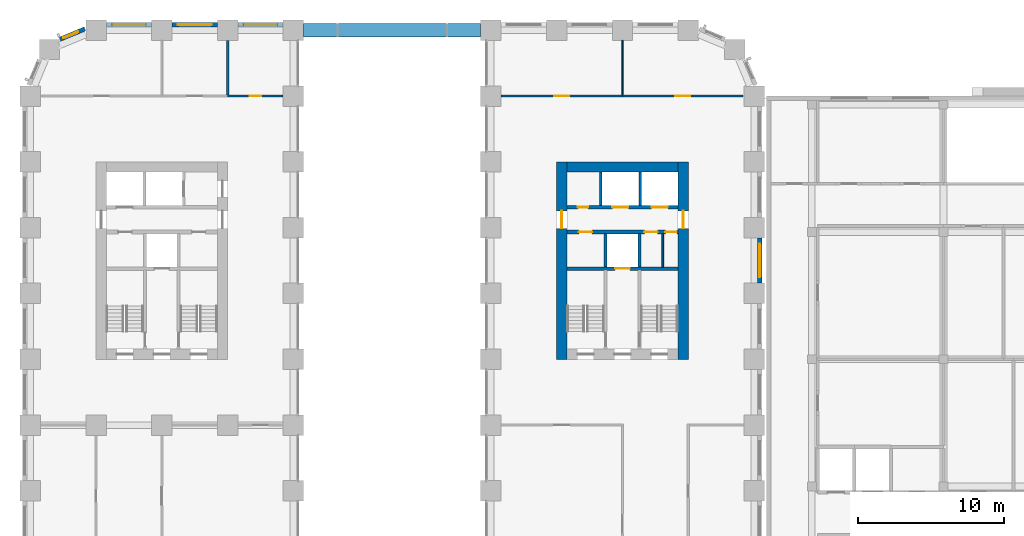
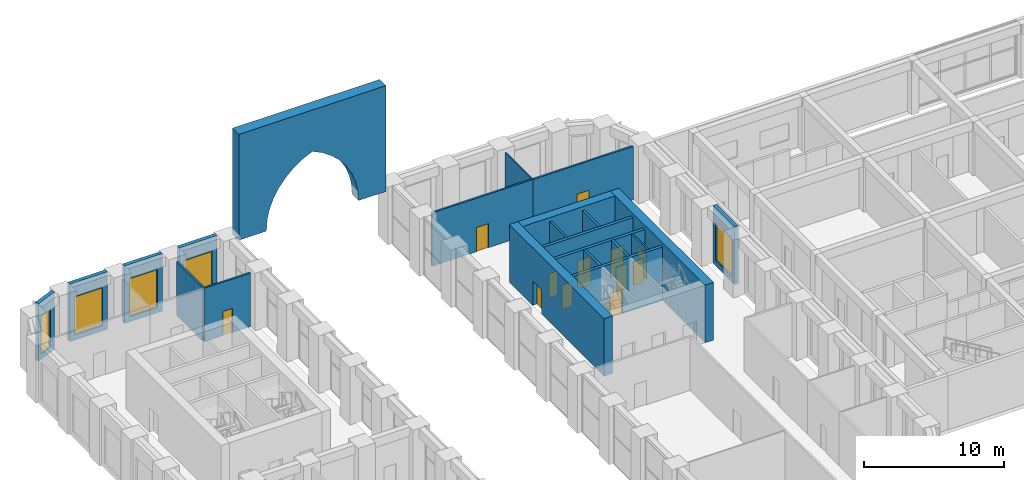
# One storey, part 14 of 25: 22 walls, 12 doors, 5 windows, 17 openings.
"""IFC4 building model written with IfcOpenShell, lengths in metres."""

import ifcopenshell
import ifcopenshell.guid

model = None  # the IFC model being written
_history = None  # IfcOwnerHistory: only IFC2X3 demands one
_inside = {}  # id of a spatial element -> (the spatial element, [elements in it])
_under = {}  # id of a project, library or spatial element -> (it, [spatial elements below it])
_declared = {}  # id of a project -> (the project, [libraries it declares])
_typed = {}  # id of a type object -> (the type object, [elements of that type])
_made_of = {}  # id of a material, layer set ... -> (it, [elements and type objects made of it])


def new_model(schema):
    """Start an empty IFC model of exactly this schema.

    Asked for "IFC4X3", IfcOpenShell would pick the latest addendum, in which some entities
    have other attributes; the version numbers below select the first issue.
    IFC2X3 requires an IfcOwnerHistory on every rooted entity: one is made here for all.
    """
    global model, _history
    if schema == "IFC4X3":
        model = ifcopenshell.file(schema_version=(4, 3, 0, 0))
    else:
        model = ifcopenshell.file(schema=schema)
    _inside.clear()
    _under.clear()
    _declared.clear()
    _typed.clear()
    _made_of.clear()
    _history = None
    if model.schema == "IFC2X3":
        org = make("IfcOrganization", Name="unknown")
        user = make(
            "IfcPersonAndOrganization",
            ThePerson=make("IfcPerson", FamilyName="unknown"),
            TheOrganization=org,
        )
        app = make(
            "IfcApplication",
            ApplicationDeveloper=org,
            Version="unknown",
            ApplicationFullName="unknown",
            ApplicationIdentifier="unknown",
        )
        _history = make(
            "IfcOwnerHistory",
            OwningUser=user,
            OwningApplication=app,
            ChangeAction="ADDED",
            CreationDate=0,
        )
    return model


def make(cls, **values):
    """One entity of the class cls with the attributes given. An attribute that is None is left unset."""
    return model.create_entity(
        cls, **{name: value for name, value in values.items() if value is not None}
    )


def rooted(cls, **values):
    """An entity with a GlobalId (a new one), such as an element, a storey or a relation."""
    return make(cls, GlobalId=ifcopenshell.guid.new(), OwnerHistory=_history, **values)


def si_unit(unit_type, name, prefix=None):
    """IfcSIUnit, for example si_unit("LENGTHUNIT", "METRE", prefix="MILLI")."""
    return make("IfcSIUnit", UnitType=unit_type, Prefix=prefix, Name=name)


def assignment(units):
    """IfcUnitAssignment: the units of a project."""
    return None if units is None else make("IfcUnitAssignment", Units=units)


def point(xyz):
    """IfcCartesianPoint."""
    return None if xyz is None else make("IfcCartesianPoint", Coordinates=xyz)


def direction(xyz):
    """IfcDirection."""
    return None if xyz is None else make("IfcDirection", DirectionRatios=xyz)


def frame(location, z_axis=None, x_axis=None):
    """IfcAxis2Placement3D, a coordinate frame: its origin and axes. An axis left out is left unset."""
    return make(
        "IfcAxis2Placement3D",
        Location=point(location),
        Axis=direction(z_axis),
        RefDirection=direction(x_axis),
    )


def frame_2d(location, x_axis=None):
    """IfcAxis2Placement2D, a coordinate frame in the plane: its origin and x axis."""
    return make(
        "IfcAxis2Placement2D", Location=point(location), RefDirection=direction(x_axis)
    )


def origin():
    """The frame at (0, 0, 0) with its axes left unset."""
    return frame((0.0, 0.0, 0.0))


def place(relative_to, where):
    """IfcLocalPlacement: puts the frame where relative to a parent placement (None: the world)."""
    return make(
        "IfcLocalPlacement", PlacementRelTo=relative_to, RelativePlacement=where
    )


def context(
    kind, dimensions, precision=None, world=None, true_north=None, identifier=None
):
    """IfcGeometricRepresentationContext, for example the 3D "Model" context."""
    return make(
        "IfcGeometricRepresentationContext",
        ContextIdentifier=identifier,
        ContextType=kind,
        CoordinateSpaceDimension=dimensions,
        Precision=precision,
        WorldCoordinateSystem=world,
        TrueNorth=true_north,
    )


def subcontext(parent, identifier, kind, view, scale=None):
    """IfcGeometricRepresentationSubContext, for example "Body" below "Model"."""
    return make(
        "IfcGeometricRepresentationSubContext",
        ContextIdentifier=identifier,
        ContextType=kind,
        ParentContext=parent,
        TargetScale=scale,
        TargetView=view,
    )


def project(units=None, contexts=None):
    """IfcProject with its units and contexts."""
    return rooted(
        "IfcProject",
        Name="project",
        RepresentationContexts=contexts,
        UnitsInContext=assignment(units),
    )


def spatial(cls, under=None, at=None, **own):
    """A site, building, storey or space (cls), placed at a placement, below another one or the project."""
    s = rooted(cls, ObjectPlacement=at, **own)
    if under is not None:
        _under.setdefault(under.id(), (under, []))[1].append(s)
    return s


def polyline(points):
    """IfcPolyline through the points."""
    return make("IfcPolyline", Points=[point(p) for p in points])


def profile(cls, at=None, kind="AREA", **sizes):
    """A parametric profile (cls). Its sizes go by their IFC names, for example OverallWidth=200.0."""
    return make(cls, ProfileType=kind, Position=at, **sizes)


def rectangle(**sizes):
    """IfcRectangleProfileDef."""
    return profile("IfcRectangleProfileDef", **sizes)


def outline(outer, holes=None, kind="AREA"):
    """IfcArbitraryClosedProfileDef: a profile drawn as a closed curve; with holes, ...WithVoids."""
    if holes is None:
        return make("IfcArbitraryClosedProfileDef", ProfileType=kind, OuterCurve=outer)
    return make(
        "IfcArbitraryProfileDefWithVoids",
        ProfileType=kind,
        OuterCurve=outer,
        InnerCurves=holes,
    )


def extrude(swept, where, along, depth):
    """IfcExtrudedAreaSolid: the profile swept, set in the frame where, extruded along a direction by depth."""
    return make(
        "IfcExtrudedAreaSolid",
        SweptArea=swept,
        Position=where,
        ExtrudedDirection=direction(along),
        Depth=depth,
    )


def shape(context_of_items, identifier, shape_type, items):
    """IfcShapeRepresentation: the items that make up one representation, for example the "Body"."""
    return make(
        "IfcShapeRepresentation",
        ContextOfItems=context_of_items,
        RepresentationIdentifier=identifier,
        RepresentationType=shape_type,
        Items=items,
    )


def material(Name=None, Category=None):
    """IfcMaterial."""
    return make("IfcMaterial", Name=Name, Category=Category)


def layer(
    of_material, thickness, ventilated=None, Name=None, Category=None, Priority=None
):
    """IfcMaterialLayer: one layer of a wall or slab, of a material (None: an air gap)."""
    return make(
        "IfcMaterialLayer",
        Material=of_material,
        LayerThickness=thickness,
        IsVentilated=ventilated,
        Name=Name,
        Category=Category,
        Priority=Priority,
    )


def layer_set(layers, Name=None):
    """IfcMaterialLayerSet."""
    return make("IfcMaterialLayerSet", MaterialLayers=layers, LayerSetName=Name)


def made_of(thing, what):
    """Note that an element or type object is made of a material, layer set ...; save() writes the relation."""
    if what is not None:
        _made_of.setdefault(what.id(), (what, []))[1].append(thing)
    return thing


def type_object(cls, material=None, **own):
    """A type object (cls), such as IfcWallType, which elements share."""
    return made_of(rooted(cls, **own), material)


def element(
    cls,
    number,
    at=None,
    inside=None,
    cuts=None,
    type_object=None,
    material=None,
    context=None,
    identifier="Body",
    shape_type=None,
    held_by="IfcProductDefinitionShape",
    body=None,
    shapes=None,
    **own,
):
    """One element of the class cls, such as IfcWall. Its Tag is "e" and its number.

    at: its placement. inside: the storey or other place that contains it. cuts: it is an
    opening in that element (IfcRelVoidsElement). A single representation is given by context,
    identifier, shape_type and body (its items); several are given by shapes. held_by: the class
    of the entity that holds the representations. save() writes the other relations.
    """
    e = rooted(cls, Tag="e%d" % number, ObjectPlacement=at, **own)
    if body is not None:
        shapes = [shape(context, identifier, shape_type, body)]
    if shapes is not None:
        e.Representation = make(held_by, Representations=shapes)
    if inside is not None:
        _inside.setdefault(inside.id(), (inside, []))[1].append(e)
    if cuts is not None:
        rooted(
            "IfcRelVoidsElement", RelatingBuildingElement=cuts, RelatedOpeningElement=e
        )
    if type_object is not None:
        _typed.setdefault(type_object.id(), (type_object, []))[1].append(e)
    return made_of(e, material)


def fill(opening, filler):
    """IfcRelFillsElement: the door or window that sits in an opening."""
    return rooted(
        "IfcRelFillsElement",
        RelatingOpeningElement=opening,
        RelatedBuildingElement=filler,
    )


def aggregate(whole, parts):
    """IfcRelAggregates: a whole, such as a stair, and the parts it consists of."""
    return rooted("IfcRelAggregates", RelatingObject=whole, RelatedObjects=parts)


def save(model, path):
    """Write the relations noted so far, then the file.

    IfcRelAggregates (storeys below a building ...), IfcRelContainedInSpatialStructure (elements
    in a storey), IfcRelDefinesByType, IfcRelAssociatesMaterial and IfcRelDeclares: one each for
    every whole, place, type object, material and project.
    """
    for whole, parts in _under.values():
        aggregate(whole, parts)
    for where, things in _inside.values():
        rooted(
            "IfcRelContainedInSpatialStructure",
            RelatedElements=things,
            RelatingStructure=where,
        )
    for kind, things in _typed.values():
        rooted("IfcRelDefinesByType", RelatedObjects=things, RelatingType=kind)
    for what, things in _made_of.values():
        rooted("IfcRelAssociatesMaterial", RelatedObjects=things, RelatingMaterial=what)
    for by, libraries in _declared.values():
        rooted("IfcRelDeclares", RelatingContext=by, RelatedDefinitions=libraries)
    model.write(path)


model = new_model("IFC4")

# Units and contexts
model_context = context("Model", 3, precision=1e-05, world=origin(), true_north=direction((0.0, 1.0)))
body_context = subcontext(model_context, "Body", "Model", "MODEL_VIEW")
ifc_project = project(units=[si_unit("LENGTHUNIT", "METRE"), si_unit("AREAUNIT", "SQUARE_METRE"), si_unit("VOLUMEUNIT", "CUBIC_METRE"), si_unit("PLANEANGLEUNIT", "RADIAN"), si_unit("MASSUNIT", "GRAM", prefix="KILO")], contexts=[model_context])

# Site, building, storey
site_placement = place(None, origin())
site = spatial("IfcSite", under=ifc_project, at=site_placement, CompositionType="ELEMENT")
building_placement = place(site_placement, origin())
building = spatial("IfcBuilding", under=site, at=building_placement, Name="Girih Gate Residences", CompositionType="ELEMENT")
storey_placement = place(building_placement, frame((0.0, 0.0, 6.0)))
storey = spatial("IfcBuildingStorey", under=building, at=storey_placement, Name="L01", CompositionType="ELEMENT", Elevation=6.0)

# Wall, opening, door
ifc_material_1 = material(Name="Gypsum board on steel studs", Category="steel")
ifc_layer_1 = layer(ifc_material_1, 0.14990234375)
ifc_layer_set_1 = layer_set([ifc_layer_1], Name="Compartment wall 150 mm")
wall_type_1 = type_object("IfcWallType", Name="Compartment wall 150 mm", PredefinedType="PARTITIONING", material=ifc_layer_set_1)
wall_1_placement = place(storey_placement, frame((40.5, 45.0, 0.0), z_axis=(0.0, 0.0, 1.0), x_axis=(1.0, 0.0, 0.0)))
wall_1 = element("IfcWall", 1, at=wall_1_placement, inside=storey, type_object=wall_type_1, Name="L01 partition", PredefinedType="PARTITIONING", context=body_context, shape_type="SweptSolid", body=[
    extrude(rectangle(XDim=8.242431640625, YDim=0.14990234375, at=frame_2d((4.12109375, 0.0))), origin(), (0.0, 0.0, 1.0), 4.64990234375),
])
opening_1_placement = place(wall_1_placement, frame((3.62109375, 0.0, 0.0)))
opening_1 = element("IfcOpeningElement", 2, at=opening_1_placement, cuts=wall_1, Name="Opening D-L01-S-002", PredefinedType="OPENING", context=body_context, shape_type="SweptSolid", body=[
    extrude(rectangle(XDim=1.0, YDim=2.10009765625, at=frame_2d((0.5, 1.050048828125))), frame((0.0, 0.0849609375, 0.0), z_axis=(0.0, -1.0, 0.0), x_axis=(1.0, 0.0, 0.0)), (0.0, 0.0, 1.0), 0.169921875),
])
ifc_material_2 = material(Name="Timber, fire-rated core", Category="wood")
door_type_1 = type_object("IfcDoorType", Name="Amenity door 1000x2100 FD30S", OperationType="SINGLE_SWING_LEFT", PredefinedType="DOOR", material=ifc_material_2)
door_1_placement = place(opening_1_placement, origin())
door_1 = element("IfcDoor", 3, at=door_1_placement, inside=storey, type_object=door_type_1, Name="Door L01-002", OperationType="SINGLE_SWING_RIGHT", OverallHeight=2.10009765625, OverallWidth=1.0, PredefinedType="DOOR", context=body_context, shape_type="SweptSolid", body=[
    extrude(rectangle(XDim=1.0, YDim=2.10009765625, at=frame_2d((0.5, 1.050048828125))), frame((0.0, 0.02490234375, 0.0), z_axis=(0.0, -1.0, 0.0), x_axis=(1.0, 0.0, 0.0)), (0.0, 0.0, 1.0), 0.050048828125),
])
fill(opening_1, door_1)

wall_2_placement = place(storey_placement, frame((32.199951171875, 45.0, 0.0), z_axis=(0.0, 0.0, 1.0), x_axis=(1.0, 0.0, 0.0)))
wall_2 = element("IfcWall", 4, at=wall_2_placement, inside=storey, type_object=wall_type_1, Name="L01 partition", PredefinedType="PARTITIONING", context=body_context, shape_type="SweptSolid", body=[
    extrude(rectangle(XDim=8.300048828125, YDim=0.14990234375, at=frame_2d((4.14990234375, 0.0))), origin(), (0.0, 0.0, 1.0), 4.64990234375),
])
opening_2_placement = place(wall_2_placement, frame((3.64990234375, 0.0, 0.0)))
opening_2 = element("IfcOpeningElement", 5, at=opening_2_placement, cuts=wall_2, Name="Opening D-L01-S-003", PredefinedType="OPENING", context=body_context, shape_type="SweptSolid", body=[
    extrude(rectangle(XDim=1.0, YDim=2.10009765625, at=frame_2d((0.5, 1.050048828125))), frame((0.0, 0.0849609375, 0.0), z_axis=(0.0, -1.0, 0.0), x_axis=(1.0, 0.0, 0.0)), (0.0, 0.0, 1.0), 0.169921875),
])
door_2_placement = place(opening_2_placement, origin())
door_2 = element("IfcDoor", 6, at=door_2_placement, inside=storey, type_object=door_type_1, Name="Door L01-003", OperationType="SINGLE_SWING_RIGHT", OverallHeight=2.10009765625, OverallWidth=1.0, PredefinedType="DOOR", context=body_context, shape_type="SweptSolid", body=[
    extrude(rectangle(XDim=1.0, YDim=2.10009765625, at=frame_2d((0.5, 1.050048828125))), frame((0.0, 0.02490234375, 0.0), z_axis=(0.0, -1.0, 0.0), x_axis=(1.0, 0.0, 0.0)), (0.0, 0.0, 1.0), 0.050048828125),
])
fill(opening_2, door_2)

# Wall
wall_3_placement = place(storey_placement, frame((13.5, 45.074951171875, 0.0), z_axis=(0.0, 0.0, 1.0), x_axis=(0.0, 1.0, 0.0)))
element("IfcWall", 7, at=wall_3_placement, inside=storey, type_object=wall_type_1, Name="L01 partition", PredefinedType="PARTITIONING", context=body_context, shape_type="SweptSolid", body=[
    extrude(rectangle(XDim=3.72509765625, YDim=0.14990234375, at=frame_2d((1.862548828125, 0.0))), origin(), (0.0, 0.0, 1.0), 4.64990234375),
])

# Wall, opening, door
wall_4_placement = place(storey_placement, frame((13.5, 45.0, 0.0), z_axis=(0.0, 0.0, 1.0), x_axis=(1.0, 0.0, 0.0)))
wall_4 = element("IfcWall", 8, at=wall_4_placement, inside=storey, type_object=wall_type_1, Name="L01 partition", PredefinedType="PARTITIONING", context=body_context, shape_type="SweptSolid", body=[
    extrude(rectangle(XDim=3.800048828125, YDim=0.14990234375, at=frame_2d((1.89990234375, 0.0))), origin(), (0.0, 0.0, 1.0), 4.64990234375),
])
opening_3_placement = place(wall_4_placement, frame((1.5, 0.0, 0.0)))
opening_3 = element("IfcOpeningElement", 9, at=opening_3_placement, cuts=wall_4, Name="Opening D-L01-S-012", PredefinedType="OPENING", context=body_context, shape_type="SweptSolid", body=[
    extrude(rectangle(XDim=0.800048828125, YDim=2.10009765625, at=frame_2d((0.39990234375, 1.050048828125))), frame((0.0, 0.0849609375, 0.0), z_axis=(0.0, -1.0, 0.0), x_axis=(1.0, 0.0, 0.0)), (0.0, 0.0, 1.0), 0.169921875),
])
ifc_material_3 = material(Name="Timber", Category="wood")
door_type_2 = type_object("IfcDoorType", Name="WC and store door 800x2100", OperationType="SINGLE_SWING_LEFT", PredefinedType="DOOR", material=ifc_material_3)
door_3_placement = place(opening_3_placement, origin())
door_3 = element("IfcDoor", 10, at=door_3_placement, inside=storey, type_object=door_type_2, Name="Door L01-012", OperationType="SINGLE_SWING_RIGHT", OverallHeight=2.10009765625, OverallWidth=0.800048828125, PredefinedType="DOOR", context=body_context, shape_type="SweptSolid", body=[
    extrude(rectangle(XDim=0.800048828125, YDim=2.10009765625, at=frame_2d((0.39990234375, 1.050048828125))), frame((0.0, 0.02490234375, 0.0), z_axis=(0.0, -1.0, 0.0), x_axis=(1.0, 0.0, 0.0)), (0.0, 0.0, 1.0), 0.050048828125),
])
fill(opening_3, door_3)

# Wall
ifc_material_4 = material(Name="Concrete C60/75", Category="concrete")
ifc_layer_2 = layer(ifc_material_4, 0.699951171875)
ifc_layer_set_2 = layer_set([ifc_layer_2], Name="Core wall RC 700 Concrete C60/75")
wall_type_2 = type_object("IfcWallType", Name="Core wall RC 700 Concrete C60/75", PredefinedType="SOLIDWALL", material=ifc_layer_set_2)
wall_5_placement = place(storey_placement, frame((36.699951171875, 40.14990234375, 0.0), z_axis=(0.0, 0.0, 1.0), x_axis=(1.0, 0.0, 0.0)))
element("IfcWall", 11, at=wall_5_placement, inside=storey, type_object=wall_type_2, Name="Core wall E-N L01", PredefinedType="SOLIDWALL", context=body_context, shape_type="SweptSolid", body=[
    extrude(rectangle(XDim=7.60009765625, YDim=0.699951171875, at=frame_2d((3.800048828125, 0.0))), origin(), (0.0, 0.0, 1.0), 5.0),
])

# Wall, opening, door
wall_6_placement = place(storey_placement, frame((36.35009765625, 27.0, 0.0), z_axis=(0.0, 0.0, 1.0), x_axis=(0.0, 1.0, 0.0)))
wall_6 = element("IfcWall", 12, at=wall_6_placement, inside=storey, type_object=wall_type_2, Name="Core wall E-W L01", PredefinedType="SOLIDWALL", context=body_context, shape_type="SweptSolid", body=[
    extrude(rectangle(XDim=13.5, YDim=0.699951171875, at=frame_2d((6.75, 0.0))), origin(), (0.0, 0.0, 1.0), 5.0),
])
opening_4_placement = place(wall_6_placement, frame((8.949951171875, 0.0, 0.0)))
opening_4 = element("IfcOpeningElement", 13, at=opening_4_placement, cuts=wall_6, Name="Opening D-L01-E-013", PredefinedType="OPENING", context=body_context, shape_type="SweptSolid", body=[
    extrude(rectangle(XDim=1.199951171875, YDim=2.10009765625, at=frame_2d((0.60009765625, 1.050048828125))), frame((0.0, 0.35986328125, 0.0), z_axis=(0.0, -1.0, 0.0), x_axis=(1.0, 0.0, 0.0)), (0.0, 0.0, 1.0), 0.719970703125),
])
ifc_material_5 = material(Name="Painted steel, fire-resisting", Category="steel")
door_type_3 = type_object("IfcDoorType", Name="Fire door 1200x2100", OperationType="SINGLE_SWING_LEFT", PredefinedType="DOOR", material=ifc_material_5)
door_4_placement = place(opening_4_placement, origin())
door_4 = element("IfcDoor", 14, at=door_4_placement, inside=storey, type_object=door_type_3, Name="L01 E core door ll-w", OperationType="SINGLE_SWING_LEFT", OverallHeight=2.10009765625, OverallWidth=1.199951171875, PredefinedType="DOOR", context=body_context, shape_type="SweptSolid", body=[
    extrude(rectangle(XDim=1.199951171875, YDim=2.10009765625, at=frame_2d((0.60009765625, 1.050048828125))), frame((0.0, 0.02490234375, 0.0), z_axis=(0.0, -1.0, 0.0), x_axis=(1.0, 0.0, 0.0)), (0.0, 0.0, 1.0), 0.050048828125),
])
fill(opening_4, door_4)

wall_7_placement = place(storey_placement, frame((44.64990234375, 27.0, 0.0), z_axis=(0.0, 0.0, 1.0), x_axis=(0.0, 1.0, 0.0)))
wall_7 = element("IfcWall", 15, at=wall_7_placement, inside=storey, type_object=wall_type_2, Name="Core wall E-E L01", PredefinedType="SOLIDWALL", context=body_context, shape_type="SweptSolid", body=[
    extrude(rectangle(XDim=13.5, YDim=0.699951171875, at=frame_2d((6.75, 0.0))), origin(), (0.0, 0.0, 1.0), 5.0),
])
opening_5_placement = place(wall_7_placement, frame((8.949951171875, 0.0, 0.0)))
opening_5 = element("IfcOpeningElement", 16, at=opening_5_placement, cuts=wall_7, Name="Opening D-L01-E-014", PredefinedType="OPENING", context=body_context, shape_type="SweptSolid", body=[
    extrude(rectangle(XDim=1.199951171875, YDim=2.10009765625, at=frame_2d((0.60009765625, 1.050048828125))), frame((0.0, 0.35986328125, 0.0), z_axis=(0.0, -1.0, 0.0), x_axis=(1.0, 0.0, 0.0)), (0.0, 0.0, 1.0), 0.719970703125),
])
door_5_placement = place(opening_5_placement, origin())
door_5 = element("IfcDoor", 17, at=door_5_placement, inside=storey, type_object=door_type_3, Name="L01 E core door ll-e", OperationType="SINGLE_SWING_LEFT", OverallHeight=2.10009765625, OverallWidth=1.199951171875, PredefinedType="DOOR", context=body_context, shape_type="SweptSolid", body=[
    extrude(rectangle(XDim=1.199951171875, YDim=2.10009765625, at=frame_2d((0.60009765625, 1.050048828125))), frame((0.0, 0.02490234375, 0.0), z_axis=(0.0, -1.0, 0.0), x_axis=(1.0, 0.0, 0.0)), (0.0, 0.0, 1.0), 0.050048828125),
])
fill(opening_5, door_5)

ifc_material_6 = material(Name="Concrete C40/50", Category="concrete")
ifc_layer_3 = layer(ifc_material_6, 0.25)
ifc_layer_set_3 = layer_set([ifc_layer_3], Name="Lift shaft wall 250")
wall_type_3 = type_object("IfcWallType", Name="Lift shaft wall 250", PredefinedType="SOLIDWALL", material=ifc_layer_set_3)
wall_8_placement = place(storey_placement, frame((36.699951171875, 33.199951171875, 0.0), z_axis=(0.0, 0.0, 1.0), x_axis=(1.0, 0.0, 0.0)))
wall_8 = element("IfcWall", 18, at=wall_8_placement, inside=storey, type_object=wall_type_3, Name="L01 E core wall H1", PredefinedType="SOLIDWALL", context=body_context, shape_type="SweptSolid", body=[
    extrude(rectangle(XDim=7.60009765625, YDim=0.25, at=frame_2d((3.800048828125, 0.0))), origin(), (0.0, 0.0, 1.0), 4.64990234375),
])
opening_6_placement = place(wall_8_placement, frame((3.300048828125, 0.0, 0.0)))
opening_6 = element("IfcOpeningElement", 19, at=opening_6_placement, cuts=wall_8, Name="Opening D-L01-E-005", PredefinedType="OPENING", context=body_context, shape_type="SweptSolid", body=[
    extrude(rectangle(XDim=1.0, YDim=2.10009765625, at=frame_2d((0.5, 1.050048828125))), frame((0.0, 0.135009765625, 0.0), z_axis=(0.0, -1.0, 0.0), x_axis=(1.0, 0.0, 0.0)), (0.0, 0.0, 1.0), 0.27001953125),
])
ifc_material_7 = material(Name="Stainless steel, fire-resisting", Category="steel")
door_type_4 = type_object("IfcDoorType", Name="Firefighting lift landing door 1000x2100", OperationType="SLIDING_TO_LEFT", PredefinedType="DOOR", material=ifc_material_7)
door_6_placement = place(opening_6_placement, origin())
door_6 = element("IfcDoor", 20, at=door_6_placement, inside=storey, type_object=door_type_4, Name="L01 lift FF-E landing door", OperationType="SLIDING_TO_LEFT", OverallHeight=2.10009765625, OverallWidth=1.0, PredefinedType="DOOR", context=body_context, shape_type="SweptSolid", body=[
    extrude(rectangle(XDim=1.0, YDim=2.10009765625, at=frame_2d((0.5, 1.050048828125))), frame((0.0, 0.02490234375, 0.0), z_axis=(0.0, -1.0, 0.0), x_axis=(1.0, 0.0, 0.0)), (0.0, 0.0, 1.0), 0.050048828125),
])
fill(opening_6, door_6)

# Wall, openings, doors
wall_9_placement = place(storey_placement, frame((36.699951171875, 35.699951171875, 0.0), z_axis=(0.0, 0.0, 1.0), x_axis=(1.0, 0.0, 0.0)))
wall_9 = element("IfcWall", 21, at=wall_9_placement, inside=storey, type_object=wall_type_3, Name="L01 E core wall H2", PredefinedType="SOLIDWALL", context=body_context, shape_type="SweptSolid", body=[
    extrude(rectangle(XDim=7.60009765625, YDim=0.25, at=frame_2d((3.800048828125, 0.0))), origin(), (0.0, 0.0, 1.0), 4.64990234375),
])
opening_7_placement = place(wall_9_placement, frame((6.72509765625, 0.0, 0.0)))
opening_7 = element("IfcOpeningElement", 22, at=opening_7_placement, cuts=wall_9, Name="Opening D-L01-E-007", PredefinedType="OPENING", context=body_context, shape_type="SweptSolid", body=[
    extrude(rectangle(XDim=0.800048828125, YDim=2.10009765625, at=frame_2d((0.39990234375, 1.050048828125))), frame((0.0, 0.135009765625, 0.0), z_axis=(0.0, -1.0, 0.0), x_axis=(1.0, 0.0, 0.0)), (0.0, 0.0, 1.0), 0.27001953125),
])
opening_8_placement = place(wall_9_placement, frame((5.300048828125, 0.0, 0.0)))
opening_8 = element("IfcOpeningElement", 23, at=opening_8_placement, cuts=wall_9, Name="Opening D-L01-E-008", PredefinedType="OPENING", context=body_context, shape_type="SweptSolid", body=[
    extrude(rectangle(XDim=0.89990234375, YDim=2.10009765625, at=frame_2d((0.449951171875, 1.050048828125))), frame((0.0, 0.135009765625, 0.0), z_axis=(0.0, -1.0, 0.0), x_axis=(1.0, 0.0, 0.0)), (0.0, 0.0, 1.0), 0.27001953125),
])
opening_9_placement = place(wall_9_placement, frame((0.824951171875, 0.0, 0.0)))
opening_9 = element("IfcOpeningElement", 24, at=opening_9_placement, cuts=wall_9, Name="Opening D-L01-E-009", PredefinedType="OPENING", context=body_context, shape_type="SweptSolid", body=[
    extrude(rectangle(XDim=0.89990234375, YDim=2.10009765625, at=frame_2d((0.449951171875, 1.050048828125))), frame((0.0, 0.135009765625, 0.0), z_axis=(0.0, -1.0, 0.0), x_axis=(1.0, 0.0, 0.0)), (0.0, 0.0, 1.0), 0.27001953125),
])
door_type_5 = type_object("IfcDoorType", Name="Fire door 800x2100", OperationType="SINGLE_SWING_LEFT", PredefinedType="DOOR", material=ifc_material_5)
door_7_placement = place(opening_7_placement, origin())
door_7 = element("IfcDoor", 25, at=door_7_placement, inside=storey, type_object=door_type_5, Name="L01 E refuse store door", OperationType="SINGLE_SWING_LEFT", OverallHeight=2.10009765625, OverallWidth=0.800048828125, PredefinedType="DOOR", context=body_context, shape_type="SweptSolid", body=[
    extrude(rectangle(XDim=0.800048828125, YDim=2.10009765625, at=frame_2d((0.39990234375, 1.050048828125))), frame((0.0, 0.02490234375, 0.0), z_axis=(0.0, -1.0, 0.0), x_axis=(1.0, 0.0, 0.0)), (0.0, 0.0, 1.0), 0.050048828125),
])
fill(opening_7, door_7)
door_type_6 = type_object("IfcDoorType", Name="Fire door 900x2100", OperationType="SINGLE_SWING_LEFT", PredefinedType="DOOR", material=ifc_material_5)
door_8_placement = place(opening_8_placement, origin())
door_8 = element("IfcDoor", 26, at=door_8_placement, inside=storey, type_object=door_type_6, Name="L01 E cleaners store door", OperationType="SINGLE_SWING_LEFT", OverallHeight=2.10009765625, OverallWidth=0.89990234375, PredefinedType="DOOR", context=body_context, shape_type="SweptSolid", body=[
    extrude(rectangle(XDim=0.89990234375, YDim=2.10009765625, at=frame_2d((0.449951171875, 1.050048828125))), frame((0.0, 0.02490234375, 0.0), z_axis=(0.0, -1.0, 0.0), x_axis=(1.0, 0.0, 0.0)), (0.0, 0.0, 1.0), 0.050048828125),
])
fill(opening_8, door_8)
door_9_placement = place(opening_9_placement, origin())
door_9 = element("IfcDoor", 27, at=door_9_placement, inside=storey, type_object=door_type_6, Name="L01 E maintenance store door", OperationType="SINGLE_SWING_LEFT", OverallHeight=2.10009765625, OverallWidth=0.89990234375, PredefinedType="DOOR", context=body_context, shape_type="SweptSolid", body=[
    extrude(rectangle(XDim=0.89990234375, YDim=2.10009765625, at=frame_2d((0.449951171875, 1.050048828125))), frame((0.0, 0.02490234375, 0.0), z_axis=(0.0, -1.0, 0.0), x_axis=(1.0, 0.0, 0.0)), (0.0, 0.0, 1.0), 0.050048828125),
])
fill(opening_9, door_9)

wall_10_placement = place(storey_placement, frame((36.699951171875, 37.39990234375, 0.0), z_axis=(0.0, 0.0, 1.0), x_axis=(1.0, 0.0, 0.0)))
wall_10 = element("IfcWall", 28, at=wall_10_placement, inside=storey, type_object=wall_type_3, Name="L01 E core wall H3", PredefinedType="SOLIDWALL", context=body_context, shape_type="SweptSolid", body=[
    extrude(rectangle(XDim=7.60009765625, YDim=0.25, at=frame_2d((3.800048828125, 0.0))), origin(), (0.0, 0.0, 1.0), 4.64990234375),
])
opening_10_placement = place(wall_10_placement, frame((5.800048828125, 0.0, 0.0)))
opening_10 = element("IfcOpeningElement", 29, at=opening_10_placement, cuts=wall_10, Name="Opening D-L01-E-003", PredefinedType="OPENING", context=body_context, shape_type="SweptSolid", body=[
    extrude(rectangle(XDim=1.10009765625, YDim=2.39990234375, at=frame_2d((0.550048828125, 1.199951171875))), frame((0.0, 0.135009765625, 0.0), z_axis=(0.0, -1.0, 0.0), x_axis=(1.0, 0.0, 0.0)), (0.0, 0.0, 1.0), 0.27001953125),
])
opening_11_placement = place(wall_10_placement, frame((3.10009765625, 0.0, 0.0)))
opening_11 = element("IfcOpeningElement", 30, at=opening_11_placement, cuts=wall_10, Name="Opening D-L01-E-004", PredefinedType="OPENING", context=body_context, shape_type="SweptSolid", body=[
    extrude(rectangle(XDim=1.10009765625, YDim=2.39990234375, at=frame_2d((0.550048828125, 1.199951171875))), frame((0.0, 0.135009765625, 0.0), z_axis=(0.0, -1.0, 0.0), x_axis=(1.0, 0.0, 0.0)), (0.0, 0.0, 1.0), 0.27001953125),
])
opening_12_placement = place(wall_10_placement, frame((0.75, 0.0, 0.0)))
opening_12 = element("IfcOpeningElement", 31, at=opening_12_placement, cuts=wall_10, Name="Opening D-L01-E-006", PredefinedType="OPENING", context=body_context, shape_type="SweptSolid", body=[
    extrude(rectangle(XDim=0.699951171875, YDim=2.10009765625, at=frame_2d((0.35009765625, 1.050048828125))), frame((0.0, 0.135009765625, 0.0), z_axis=(0.0, -1.0, 0.0), x_axis=(1.0, 0.0, 0.0)), (0.0, 0.0, 1.0), 0.27001953125),
])
ifc_material_8 = material(Name="Stainless steel", Category="steel")
door_type_7 = type_object("IfcDoorType", Name="Lift landing door 1100x2400", OperationType="SLIDING_TO_LEFT", PredefinedType="DOOR", material=ifc_material_8)
door_10_placement = place(opening_10_placement, origin())
door_10 = element("IfcDoor", 32, at=door_10_placement, inside=storey, type_object=door_type_7, Name="L01 lift LR-E1 landing door", OperationType="SLIDING_TO_LEFT", OverallHeight=2.39990234375, OverallWidth=1.10009765625, PredefinedType="DOOR", context=body_context, shape_type="SweptSolid", body=[
    extrude(rectangle(XDim=1.10009765625, YDim=2.39990234375, at=frame_2d((0.550048828125, 1.199951171875))), frame((0.0, 0.02490234375, 0.0), z_axis=(0.0, -1.0, 0.0), x_axis=(1.0, 0.0, 0.0)), (0.0, 0.0, 1.0), 0.050048828125),
])
fill(opening_10, door_10)
door_11_placement = place(opening_11_placement, origin())
door_11 = element("IfcDoor", 33, at=door_11_placement, inside=storey, type_object=door_type_7, Name="L01 lift LR-E2 landing door", OperationType="SLIDING_TO_LEFT", OverallHeight=2.39990234375, OverallWidth=1.10009765625, PredefinedType="DOOR", context=body_context, shape_type="SweptSolid", body=[
    extrude(rectangle(XDim=1.10009765625, YDim=2.39990234375, at=frame_2d((0.550048828125, 1.199951171875))), frame((0.0, 0.02490234375, 0.0), z_axis=(0.0, -1.0, 0.0), x_axis=(1.0, 0.0, 0.0)), (0.0, 0.0, 1.0), 0.050048828125),
])
fill(opening_11, door_11)
door_type_8 = type_object("IfcDoorType", Name="Riser access door 700x2100", OperationType="SINGLE_SWING_LEFT", PredefinedType="DOOR", material=ifc_material_5)
door_12_placement = place(opening_12_placement, origin())
door_12 = element("IfcDoor", 34, at=door_12_placement, inside=storey, type_object=door_type_8, Name="L01 E riser room door", OperationType="SINGLE_SWING_LEFT", OverallHeight=2.10009765625, OverallWidth=0.699951171875, PredefinedType="DOOR", context=body_context, shape_type="SweptSolid", body=[
    extrude(rectangle(XDim=0.699951171875, YDim=2.10009765625, at=frame_2d((0.35009765625, 1.050048828125))), frame((0.0, 0.02490234375, 0.0), z_axis=(0.0, -1.0, 0.0), x_axis=(1.0, 0.0, 0.0)), (0.0, 0.0, 1.0), 0.050048828125),
])
fill(opening_12, door_12)

# Walls
ifc_layer_4 = layer(ifc_material_1, 0.10009765625)
ifc_layer_set_4 = layer_set([ifc_layer_4], Name="Partition 100 mm")
wall_type_4 = type_object("IfcWallType", Name="Partition 100 mm", PredefinedType="PARTITIONING", material=ifc_layer_set_4)
wall_11_placement = place(storey_placement, frame((40.5, 45.074951171875, 0.0), z_axis=(0.0, 0.0, 1.0), x_axis=(0.0, 1.0, 0.0)))
element("IfcWall", 35, at=wall_11_placement, inside=storey, type_object=wall_type_4, Name="L01 partition", PredefinedType="PARTITIONING", context=body_context, shape_type="SweptSolid", body=[
    extrude(rectangle(XDim=3.72509765625, YDim=0.10009765625, at=frame_2d((1.862548828125, 0.0))), origin(), (0.0, 0.0, 1.0), 4.64990234375),
])
ifc_material_9 = material(Name="Precast concrete C60/75", Category="concrete")
ifc_layer_5 = layer(ifc_material_9, 0.89990234375)
ifc_layer_set_5 = layer_set([ifc_layer_5], Name="Pishtaq spandrel panel 900")
wall_type_5 = type_object("IfcWallType", Name="Pishtaq spandrel panel 900", PredefinedType="SOLIDWALL", material=ifc_layer_set_5)
wall_12_placement = place(storey_placement, frame((18.699951171875, 49.949951171875, 13.699951171875), z_axis=(0.0, 1.0, 0.0), x_axis=(1.0, 0.0, 0.0)))
element("IfcWall", 36, at=wall_12_placement, inside=storey, type_object=wall_type_5, Name="Pishtaq panel N", PredefinedType="SOLIDWALL", context=body_context, shape_type="SweptSolid", body=[
    extrude(outline(polyline([(0.0, 0.0), (12.10009765625, 0.0), (12.10009765625, 9.199951171875), (9.85009765625, 9.199951171875), (9.85009765625, 9.199951171875), (9.783203125, 8.304931640625), (9.584228515625, 7.429931640625), (9.257568359375, 6.59423828125), (8.810302734375, 5.816162109375), (8.25244140625, 5.113037109375), (7.5966796875, 4.500732421875), (6.85693359375, 3.99267578125), (6.050048828125, 3.599853515625), (5.2431640625, 3.99267578125), (4.50341796875, 4.500732421875), (3.84765625, 5.113037109375), (3.289794921875, 5.816162109375), (2.842529296875, 6.59423828125), (2.515869140625, 7.429931640625), (2.31689453125, 8.304931640625), (2.25, 9.199951171875), (2.25, 9.199951171875), (0.0, 9.199951171875), (0.0, 0.0)])), origin(), (0.0, 0.0, -1.0), 0.89990234375),
])

# Wall, opening, window
ifc_material_10 = material(Name="Precast concrete C50/60", Category="concrete")
ifc_layer_6 = layer(ifc_material_10, 0.080078125, Name="Outer leaf")
ifc_material_11 = material(Name="Rigid PIR insulation")
ifc_layer_7 = layer(ifc_material_11, 0.14990234375, Name="Insulation")
ifc_material_12 = material(Name="Precast concrete C40/50", Category="concrete")
ifc_layer_8 = layer(ifc_material_12, 0.070068359375, Name="Inner leaf")
ifc_layer_set_6 = layer_set([ifc_layer_6, ifc_layer_7, ifc_layer_8], Name="Precast concrete C50/60 external wall 300")
wall_type_6 = type_object("IfcWallType", Name="Precast concrete C50/60 external wall 300", PredefinedType="SOLIDWALL", material=ifc_layer_set_6)
wall_13_placement = place(storey_placement, frame((14.199951171875, 49.875, 0.0), z_axis=(0.0, 0.0, 1.0), x_axis=(1.0, 0.0, 0.0)))
wall_13 = element("IfcWall", 37, at=wall_13_placement, inside=storey, type_object=wall_type_6, Name="External wall N0180_0495.0", PredefinedType="SOLIDWALL", context=body_context, shape_type="SweptSolid", body=[
    extrude(rectangle(XDim=3.10009765625, YDim=0.300048828125, at=frame_2d((1.550048828125, 0.0))), origin(), (0.0, 0.0, 1.0), 5.0),
])
opening_13_placement = place(wall_13_placement, frame((0.39990234375, 0.0, 0.449951171875)))
opening_13 = element("IfcOpeningElement", 38, at=opening_13_placement, cuts=wall_13, Name="Opening W-3", PredefinedType="OPENING", context=body_context, shape_type="SweptSolid", body=[
    extrude(rectangle(XDim=2.300048828125, YDim=3.300048828125, at=frame_2d((1.14990234375, 1.64990234375))), frame((0.0, 0.159912109375, 0.0), z_axis=(0.0, -1.0, 0.0), x_axis=(1.0, 0.0, 0.0)), (0.0, 0.0, 1.0), 0.320068359375),
])
ifc_material_13 = material(Name="Double glazing in aluminium frame", Category="aluminium")
window_type_1 = type_object("IfcWindowType", Name="Window W-3 2300x3300", PartitioningType="SINGLE_PANEL", PredefinedType="WINDOW", material=ifc_material_13)
window_1_placement = place(opening_13_placement, origin())
window_1 = element("IfcWindow", 39, at=window_1_placement, inside=storey, type_object=window_type_1, Name="Window W-3 N0180_0495.0", OverallHeight=3.300048828125, OverallWidth=2.300048828125, PartitioningType="SINGLE_PANEL", PredefinedType="WINDOW", context=body_context, shape_type="SweptSolid", body=[
    extrude(rectangle(XDim=2.300048828125, YDim=3.300048828125, at=frame_2d((1.14990234375, 1.64990234375))), frame((0.0, 0.030029296875, 0.0), z_axis=(0.0, -1.0, 0.0), x_axis=(1.0, 0.0, 0.0)), (0.0, 0.0, 1.0), 0.06005859375),
])
fill(opening_13, window_1)

wall_14_placement = place(storey_placement, frame((9.699951171875, 49.875, 0.0), z_axis=(0.0, 0.0, 1.0), x_axis=(1.0, 0.0, 0.0)))
wall_14 = element("IfcWall", 40, at=wall_14_placement, inside=storey, type_object=wall_type_6, Name="External wall N0180_0495.1", PredefinedType="SOLIDWALL", context=body_context, shape_type="SweptSolid", body=[
    extrude(rectangle(XDim=3.10009765625, YDim=0.300048828125, at=frame_2d((1.550048828125, 0.0))), origin(), (0.0, 0.0, 1.0), 5.0),
])
opening_14_placement = place(wall_14_placement, frame((0.39990234375, 0.0, 0.449951171875)))
opening_14 = element("IfcOpeningElement", 41, at=opening_14_placement, cuts=wall_14, Name="Opening W-3", PredefinedType="OPENING", context=body_context, shape_type="SweptSolid", body=[
    extrude(rectangle(XDim=2.300048828125, YDim=3.300048828125, at=frame_2d((1.14990234375, 1.64990234375))), frame((0.0, 0.159912109375, 0.0), z_axis=(0.0, -1.0, 0.0), x_axis=(1.0, 0.0, 0.0)), (0.0, 0.0, 1.0), 0.320068359375),
])
window_2_placement = place(opening_14_placement, origin())
window_2 = element("IfcWindow", 42, at=window_2_placement, inside=storey, type_object=window_type_1, Name="Window W-3 N0180_0495.1", OverallHeight=3.300048828125, OverallWidth=2.300048828125, PartitioningType="SINGLE_PANEL", PredefinedType="WINDOW", context=body_context, shape_type="SweptSolid", body=[
    extrude(rectangle(XDim=2.300048828125, YDim=3.300048828125, at=frame_2d((1.14990234375, 1.64990234375))), frame((0.0, 0.030029296875, 0.0), z_axis=(0.0, -1.0, 0.0), x_axis=(1.0, 0.0, 0.0)), (0.0, 0.0, 1.0), 0.06005859375),
])
fill(opening_14, window_2)

wall_15_placement = place(storey_placement, frame((5.199951171875, 49.875, 0.0), z_axis=(0.0, 0.0, 1.0), x_axis=(1.0, 0.0, 0.0)))
wall_15 = element("IfcWall", 43, at=wall_15_placement, inside=storey, type_object=wall_type_6, Name="External wall N0180_0495.2", PredefinedType="SOLIDWALL", context=body_context, shape_type="SweptSolid", body=[
    extrude(rectangle(XDim=3.10009765625, YDim=0.300048828125, at=frame_2d((1.550048828125, 0.0))), origin(), (0.0, 0.0, 1.0), 5.0),
])
opening_15_placement = place(wall_15_placement, frame((0.39990234375, 0.0, 0.449951171875)))
opening_15 = element("IfcOpeningElement", 44, at=opening_15_placement, cuts=wall_15, Name="Opening W-3", PredefinedType="OPENING", context=body_context, shape_type="SweptSolid", body=[
    extrude(rectangle(XDim=2.300048828125, YDim=3.300048828125, at=frame_2d((1.14990234375, 1.64990234375))), frame((0.0, 0.159912109375, 0.0), z_axis=(0.0, -1.0, 0.0), x_axis=(1.0, 0.0, 0.0)), (0.0, 0.0, 1.0), 0.320068359375),
])
window_3_placement = place(opening_15_placement, origin())
window_3 = element("IfcWindow", 45, at=window_3_placement, inside=storey, type_object=window_type_1, Name="Window W-3 N0180_0495.2", OverallHeight=3.300048828125, OverallWidth=2.300048828125, PartitioningType="SINGLE_PANEL", PredefinedType="WINDOW", context=body_context, shape_type="SweptSolid", body=[
    extrude(rectangle(XDim=2.300048828125, YDim=3.300048828125, at=frame_2d((1.14990234375, 1.64990234375))), frame((0.0, 0.030029296875, 0.0), z_axis=(0.0, -1.0, 0.0), x_axis=(1.0, 0.0, 0.0)), (0.0, 0.0, 1.0), 0.06005859375),
])
fill(opening_15, window_3)

wall_16_placement = place(storey_placement, frame((2.01953125, 48.87841796875, 0.0), z_axis=(0.0, 0.0, 1.0), x_axis=(0.923903565336, 0.38262540684, 0.0)))
wall_16 = element("IfcWall", 46, at=wall_16_placement, inside=storey, type_object=wall_type_6, Name="External wall NW0045_0495.0", PredefinedType="SOLIDWALL", context=body_context, shape_type="SweptSolid", body=[
    extrude(rectangle(XDim=1.864990234375, YDim=0.300048828125, at=frame_2d((0.9326171875, 0.0))), origin(), (0.0, 0.0, 1.0), 5.0),
])
opening_16_placement = place(wall_16_placement, frame((0.257568359375, 0.0, 0.449951171875)))
opening_16 = element("IfcOpeningElement", 47, at=opening_16_placement, cuts=wall_16, Name="Opening W-2A", PredefinedType="OPENING", context=body_context, shape_type="SweptSolid", body=[
    extrude(rectangle(XDim=1.10009765625, YDim=3.300048828125, at=frame_2d((0.550048828125, 1.64990234375))), frame((0.0, 0.159912109375, 0.0), z_axis=(0.0, -1.0, 0.0), x_axis=(1.0, 0.0, 0.0)), (0.0, 0.0, 1.0), 0.320068359375),
])
window_type_2 = type_object("IfcWindowType", Name="Window W-2A 1100x3300", PartitioningType="SINGLE_PANEL", PredefinedType="WINDOW", material=ifc_material_13)
window_4_placement = place(opening_16_placement, origin())
window_4 = element("IfcWindow", 48, at=window_4_placement, inside=storey, type_object=window_type_2, Name="Window W-2A NW0045_0495.0", OverallHeight=3.300048828125, OverallWidth=1.10009765625, PartitioningType="SINGLE_PANEL", PredefinedType="WINDOW", context=body_context, shape_type="SweptSolid", body=[
    extrude(rectangle(XDim=1.10009765625, YDim=3.300048828125, at=frame_2d((0.550048828125, 1.64990234375))), frame((0.0, 0.030029296875, 0.0), z_axis=(0.0, -1.0, 0.0), x_axis=(1.0, 0.0, 0.0)), (0.0, 0.0, 1.0), 0.06005859375),
])
fill(opening_16, window_4)

wall_17_placement = place(storey_placement, frame((49.875, 35.300048828125, 0.0), z_axis=(0.0, 0.0, 1.0), x_axis=(0.0, -1.0, 0.0)))
wall_17 = element("IfcWall", 49, at=wall_17_placement, inside=storey, type_object=wall_type_6, Name="External wall E0495_0045.6", PredefinedType="SOLIDWALL", context=body_context, shape_type="SweptSolid", body=[
    extrude(rectangle(XDim=3.10009765625, YDim=0.300048828125, at=frame_2d((1.550048828125, 0.0))), origin(), (0.0, 0.0, 1.0), 5.0),
])
opening_17_placement = place(wall_17_placement, frame((0.39990234375, 0.0, 0.449951171875)))
opening_17 = element("IfcOpeningElement", 50, at=opening_17_placement, cuts=wall_17, Name="Opening W-3", PredefinedType="OPENING", context=body_context, shape_type="SweptSolid", body=[
    extrude(rectangle(XDim=2.300048828125, YDim=3.300048828125, at=frame_2d((1.14990234375, 1.64990234375))), frame((0.0, 0.159912109375, 0.0), z_axis=(0.0, -1.0, 0.0), x_axis=(1.0, 0.0, 0.0)), (0.0, 0.0, 1.0), 0.320068359375),
])
window_5_placement = place(opening_17_placement, origin())
window_5 = element("IfcWindow", 51, at=window_5_placement, inside=storey, type_object=window_type_1, Name="Window W-3 E0495_0045.6", OverallHeight=3.300048828125, OverallWidth=2.300048828125, PartitioningType="SINGLE_PANEL", PredefinedType="WINDOW", context=body_context, shape_type="SweptSolid", body=[
    extrude(rectangle(XDim=2.300048828125, YDim=3.300048828125, at=frame_2d((1.14990234375, 1.64990234375))), frame((0.0, 0.030029296875, 0.0), z_axis=(0.0, -1.0, 0.0), x_axis=(1.0, 0.0, 0.0)), (0.0, 0.0, 1.0), 0.06005859375),
])
fill(opening_17, window_5)

# Walls
ifc_layer_9 = layer(ifc_material_6, 0.175048828125)
ifc_layer_set_7 = layer_set([ifc_layer_9], Name="Riser shaft wall 175")
wall_type_7 = type_object("IfcWallType", Name="Riser shaft wall 175", PredefinedType="SOLIDWALL", material=ifc_layer_set_7)
for number, where, z_axis, x_axis, name in (
    (52, (41.699951171875, 37.5, 0.0), (0.0, 0.0, 1.0), (0.0, 1.0, 0.0), "L01 E core wall V1c"),
    (53, (39.0, 37.5, 0.0), (0.0, 0.0, 1.0), (0.0, 1.0, 0.0), "L01 E core wall V2c"),
):
    element("IfcWall", number, at=place(storey_placement, frame(where, z_axis=z_axis, x_axis=x_axis)), inside=storey, type_object=wall_type_7, Name=name, PredefinedType="SOLIDWALL", context=body_context, shape_type="SweptSolid", body=[
        extrude(rectangle(XDim=2.300048828125, YDim=0.175048828125, at=frame_2d((1.14990234375, 0.0))), origin(), (0.0, 0.0, 1.0), 4.64990234375),
    ])
ifc_layer_10 = layer(ifc_material_6, 0.199951171875)
ifc_layer_set_8 = layer_set([ifc_layer_10], Name="Shaft wall 200")
wall_type_8 = type_object("IfcWallType", Name="Shaft wall 200", PredefinedType="SOLIDWALL", material=ifc_layer_set_8)
for number, where, z_axis, x_axis, name in (
    (54, (41.64990234375, 33.300048828125, 0.0), (0.0, 0.0, 1.0), (0.0, 1.0, 0.0), "L01 E core wall V1b"),
    (55, (39.35009765625, 33.300048828125, 0.0), (0.0, 0.0, 1.0), (0.0, 1.0, 0.0), "L01 E core wall V2b"),
):
    element("IfcWall", number, at=place(storey_placement, frame(where, z_axis=z_axis, x_axis=x_axis)), inside=storey, type_object=wall_type_8, Name=name, PredefinedType="SOLIDWALL", context=body_context, shape_type="SweptSolid", body=[
        extrude(rectangle(XDim=2.300048828125, YDim=0.199951171875, at=frame_2d((1.14990234375, 0.0))), origin(), (0.0, 0.0, 1.0), 4.64990234375),
    ])
ifc_material_14 = material(Name="Calcium silicate blockwork", Category="masonry")
ifc_layer_11 = layer(ifc_material_14, 0.125)
ifc_layer_set_9 = layer_set([ifc_layer_11], Name="Store partition 125")
wall_type_9 = type_object("IfcWallType", Name="Store partition 125", PredefinedType="PARTITIONING", material=ifc_layer_set_9)
wall_18_placement = place(storey_placement, frame((43.25, 33.300048828125, 0.0), z_axis=(0.0, 0.0, 1.0), x_axis=(0.0, 1.0, 0.0)))
element("IfcWall", 56, at=wall_18_placement, inside=storey, type_object=wall_type_9, Name="L01 E core wall SHR1", PredefinedType="PARTITIONING", context=body_context, shape_type="SweptSolid", body=[
    extrude(rectangle(XDim=2.300048828125, YDim=0.125, at=frame_2d((1.14990234375, 0.0))), origin(), (0.0, 0.0, 1.0), 4.64990234375),
])

save(model, "model.ifc")
